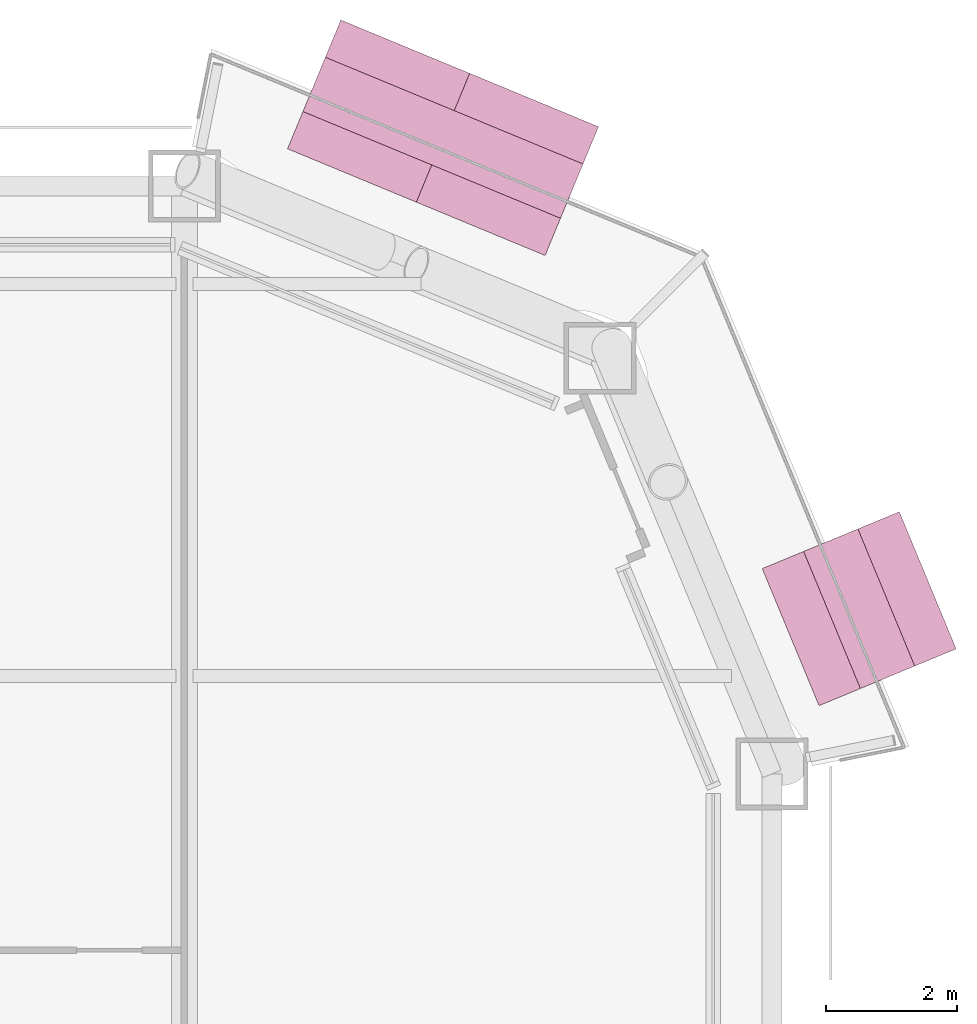
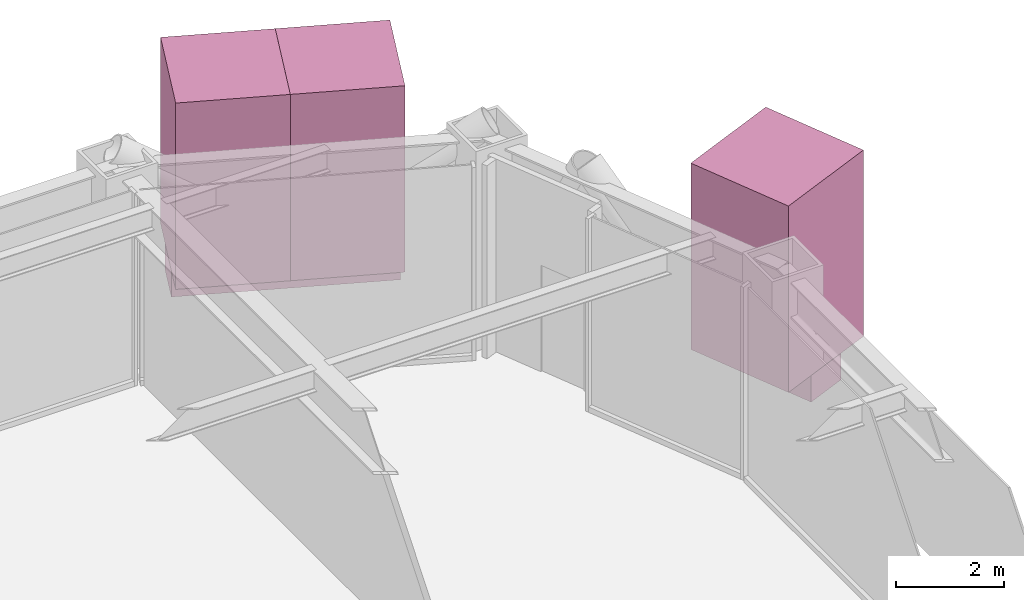
# One storey, part 30 of 30: 5 furnishings.
"""IFC4 building model written with IfcOpenShell, lengths in metres."""

from ifc_helpers import new_model, si_unit, direction, frame, origin, origin_2d, place, context, subcontext, project, spatial, rectangle, extrude, material, type_object, element, save


model = new_model("IFC4")

# Units and contexts
model_context = context("Model", 3, precision=1e-05, world=origin(), true_north=direction((0.0, 1.0)))
body_context = subcontext(model_context, "Body", "Model", "MODEL_VIEW")
ifc_project = project(units=[si_unit("LENGTHUNIT", "METRE"), si_unit("AREAUNIT", "SQUARE_METRE"), si_unit("VOLUMEUNIT", "CUBIC_METRE"), si_unit("PLANEANGLEUNIT", "RADIAN"), si_unit("MASSUNIT", "GRAM", prefix="KILO")], contexts=[model_context])

# Site, building, storey
site_placement = place(None, origin())
site = spatial("IfcSite", under=ifc_project, at=site_placement, CompositionType="ELEMENT")
building_placement = place(site_placement, origin())
building = spatial("IfcBuilding", under=site, at=building_placement, Name="Siwar Civic Tower", CompositionType="ELEMENT")
storey_placement = place(building_placement, frame((0.0, 0.0, 26.699951171875)))
storey = spatial("IfcBuildingStorey", under=building, at=storey_placement, Name="L05", CompositionType="ELEMENT", Elevation=26.699951171875)

# Furnishings
ifc_material_1 = material(Name="Planting soil and foliage")
furnishing_element_type_1 = type_object("IfcFurnishingElementType", Name="ENV-PLANTER", material=ifc_material_1)
furnishing_1_placement = place(storey_placement, frame((32.833984375, 25.0283203125, 0.0), z_axis=(0.0, 0.0, 1.0), x_axis=(-0.382683432365, 0.923879532511, 0.0)))
element("IfcFurnishingElement", 1, at=furnishing_1_placement, inside=storey, type_object=furnishing_element_type_1, Name="PLANTER NE 1", context=body_context, shape_type="SweptSolid", body=[
    extrude(rectangle(XDim=2.273193359375, YDim=0.89990234375, at=origin_2d()), origin(), (0.0, 0.0, 1.0), 0.60009765625),
])
furnishing_2_placement = place(storey_placement, frame((26.460205078125, 32.240966796875, 0.0), z_axis=(0.0, 0.0, 1.0), x_axis=(-0.923879532511, 0.382683432365, 0.0)))
element("IfcFurnishingElement", 2, at=furnishing_2_placement, inside=storey, type_object=furnishing_element_type_1, Name="PLANTER NE 2", context=body_context, shape_type="SweptSolid", body=[
    extrude(rectangle(XDim=4.270751953125, YDim=0.89990234375, at=origin_2d()), origin(), (0.0, 0.0, 1.0), 0.60009765625),
])
ifc_material_2 = material(Name="Planting soil and foliage")
furnishing_element_type_2 = type_object("IfcFurnishingElementType", Name="ENV-TREE", material=ifc_material_2)
furnishing_3_placement = place(storey_placement, frame((32.833984375, 25.0283203125, 0.60009765625), z_axis=(0.0, 0.0, 1.0), x_axis=(-0.382683432365, 0.923879532511, 0.0)))
element("IfcFurnishingElement", 3, at=furnishing_3_placement, inside=storey, type_object=furnishing_element_type_2, Name="PLANTER (TREE) NE 1.1", context=body_context, shape_type="SweptSolid", body=[
    extrude(rectangle(XDim=2.273193359375, YDim=2.273193359375, at=origin_2d()), origin(), (0.0, 0.0, 1.0), 4.199951171875),
])
for number, where, z_axis, x_axis, name in (
    (4, (27.44677734375, 31.832275390625, 0.60009765625), (0.0, 0.0, 1.0), (-0.923879532511, 0.382683432365, 0.0), "PLANTER (TREE) NE 2.1"),
    (5, (25.473876953125, 32.6494140625, 0.60009765625), (0.0, 0.0, 1.0), (-0.923879532511, 0.382683432365, 0.0), "PLANTER (TREE) NE 2.2"),
):
    element("IfcFurnishingElement", number, at=place(storey_placement, frame(where, z_axis=z_axis, x_axis=x_axis)), inside=storey, type_object=furnishing_element_type_2, Name=name, context=body_context, shape_type="SweptSolid", body=[
        extrude(rectangle(XDim=2.13525390625, YDim=2.13525390625, at=origin_2d()), origin(), (0.0, 0.0, 1.0), 4.199951171875),
    ])

save(model, "model.ifc")
